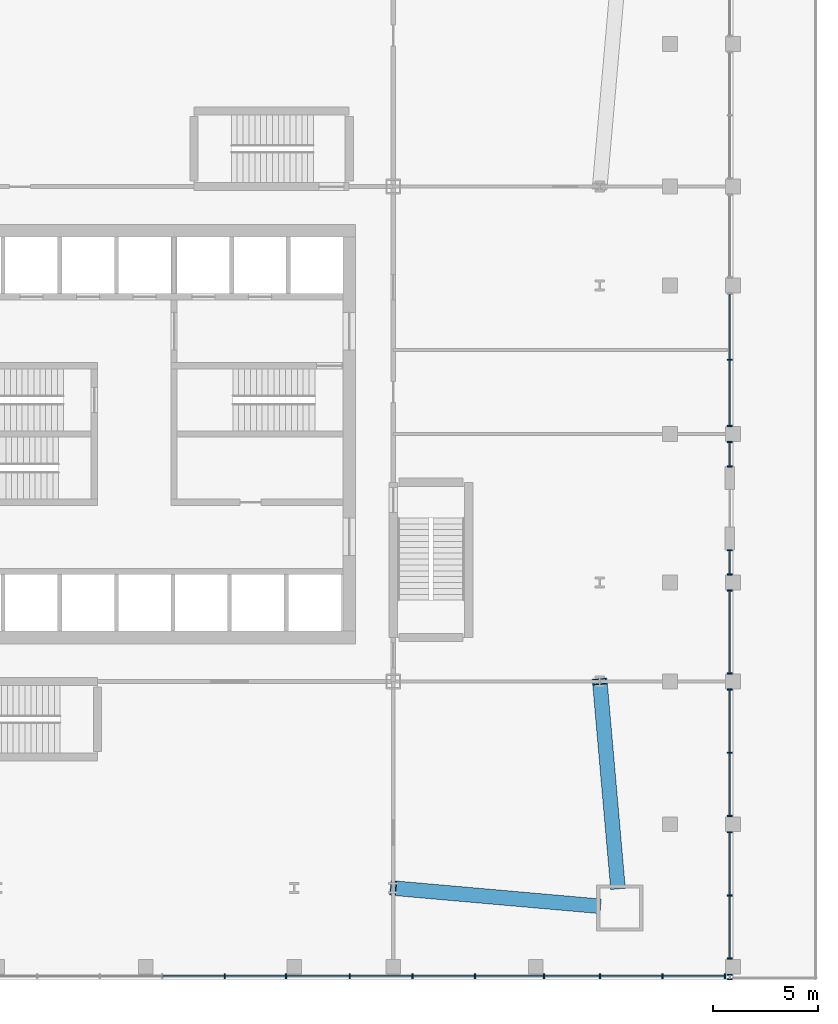
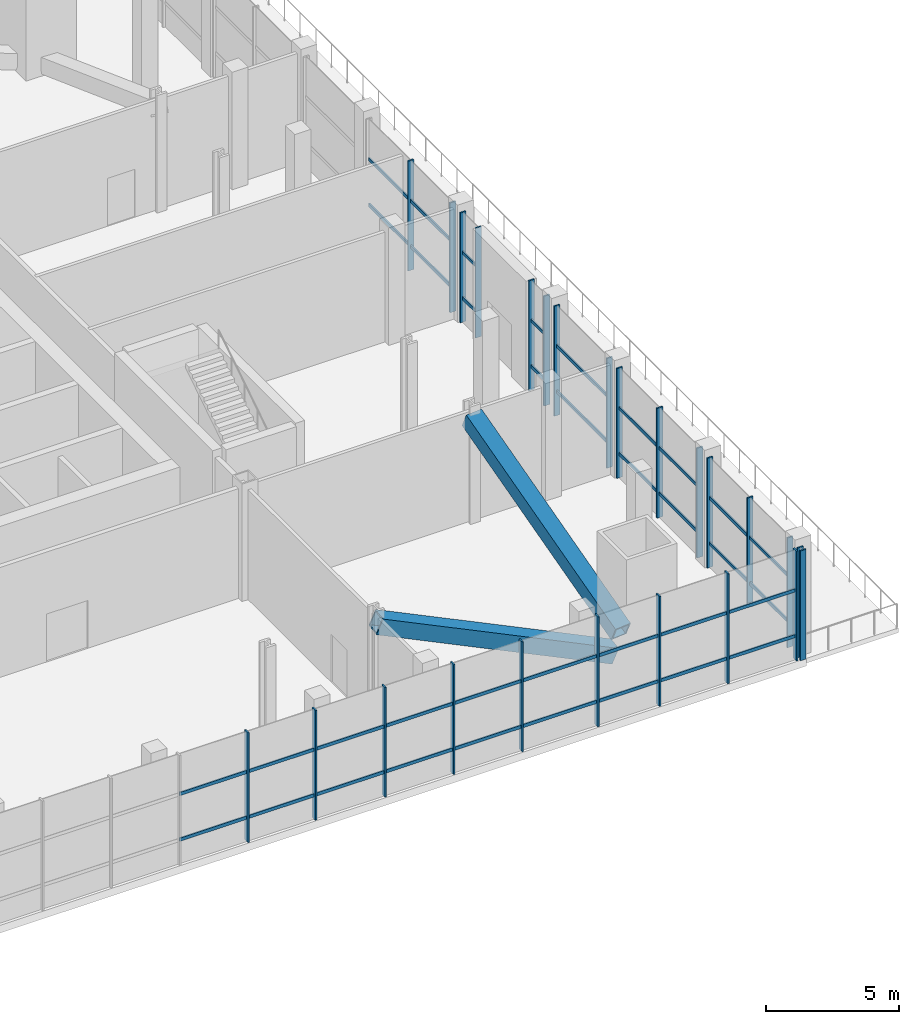
# One storey, part 3 of 17: 63 members, 8 elements without a shape of their own.
"""IFC4 building model written with IfcOpenShell, lengths in metres."""

from ifc_helpers import new_model, si_unit, direction, frame, origin, origin_2d, place, context, subcontext, project, spatial, rectangle, hollow_rectangle, extrude, material, material_profile, profile_set, type_object, element, aggregate, save


model = new_model("IFC4")

# Units and contexts
model_context = context("Model", 3, precision=1e-05, world=origin(), true_north=direction((0.0, 1.0)))
body_context = subcontext(model_context, "Body", "Model", "MODEL_VIEW")
ifc_project = project(units=[si_unit("LENGTHUNIT", "METRE"), si_unit("AREAUNIT", "SQUARE_METRE"), si_unit("VOLUMEUNIT", "CUBIC_METRE"), si_unit("PLANEANGLEUNIT", "RADIAN"), si_unit("MASSUNIT", "GRAM", prefix="KILO")], contexts=[model_context])

# Site, building, storey
site_placement = place(None, origin())
site = spatial("IfcSite", under=ifc_project, at=site_placement, CompositionType="ELEMENT")
building_placement = place(site_placement, origin())
building = spatial("IfcBuilding", under=site, at=building_placement, Name="Turquesa Mirador Hotel Tower", CompositionType="ELEMENT")
storey_placement = place(building_placement, frame((0.0, 0.0, 5.60009765625)))
storey = spatial("IfcBuildingStorey", under=building, at=storey_placement, Name="L01", CompositionType="ELEMENT", Elevation=5.60009765625)

# Curtain wall, members
ifc_material_1 = material(Name="Aluminium extrusion", Category="aluminium")
curtain_wall_type = type_object("IfcCurtainWallType", Name="CW-2 PODIUM CURTAIN WALL", PredefinedType="USERDEFINED", material=ifc_material_1)
curtain_wall_1_placement = place(storey_placement, origin())
curtain_wall_1 = element("IfcCurtainWall", 1, at=curtain_wall_1_placement, inside=storey, type_object=curtain_wall_type, Name="CW-2 PODIUM CURTAIN WALL L01", ObjectType="CURTAIN WALL", PredefinedType="USERDEFINED")
ifc_material_2 = material(Name="Aluminium extrusion", Category="aluminium")
ifc_material_profile_1 = material_profile(ifc_material_2, rectangle(XDim=0.06494140625, YDim=0.25, at=origin_2d()), Name="MULLION 65X250")
ifc_profile_set_1 = profile_set([ifc_material_profile_1], Name="Aluminium extrusion")
member_type_1 = type_object("IfcMemberType", Name="CW MULLION 65X250", PredefinedType="MULLION", material=ifc_profile_set_1)
member_1_placement = place(storey_placement, frame((58.769287109375, 19.14990234375, 0.0), z_axis=(0.0, 0.0, 1.0), x_axis=(1.0, 0.0, 0.0)))
member_1 = element("IfcMember", 2, at=member_1_placement, type_object=member_type_1, Name="Mullion", PredefinedType="MULLION", context=body_context, shape_type="SweptSolid", body=[
    extrude(rectangle(XDim=0.06494140625, YDim=0.25, at=origin_2d()), origin(), (0.0, 0.0, 1.0), 5.0498046875),
])
member_2_placement = place(storey_placement, frame((61.695556640625, 19.14990234375, 0.0), z_axis=(0.0, 0.0, 1.0), x_axis=(1.0, 0.0, 0.0)))
member_2 = element("IfcMember", 3, at=member_2_placement, type_object=member_type_1, Name="Mullion", PredefinedType="MULLION", context=body_context, shape_type="SweptSolid", body=[
    extrude(rectangle(XDim=0.06494140625, YDim=0.25, at=origin_2d()), origin(), (0.0, 0.0, 1.0), 5.0498046875),
])
member_3_placement = place(storey_placement, frame((64.73095703125, 19.14990234375, 0.0), z_axis=(0.0, 0.0, 1.0), x_axis=(1.0, 0.0, 0.0)))
member_3 = element("IfcMember", 4, at=member_3_placement, type_object=member_type_1, Name="Mullion", PredefinedType="MULLION", context=body_context, shape_type="SweptSolid", body=[
    extrude(rectangle(XDim=0.06494140625, YDim=0.25, at=origin_2d()), origin(), (0.0, 0.0, 1.0), 5.0498046875),
])
member_4_placement = place(storey_placement, frame((67.711669921875, 19.14990234375, 0.0), z_axis=(0.0, 0.0, 1.0), x_axis=(1.0, 0.0, 0.0)))
member_4 = element("IfcMember", 5, at=member_4_placement, type_object=member_type_1, Name="Mullion", PredefinedType="MULLION", context=body_context, shape_type="SweptSolid", body=[
    extrude(rectangle(XDim=0.06494140625, YDim=0.25, at=origin_2d()), origin(), (0.0, 0.0, 1.0), 5.0498046875),
])
member_5_placement = place(storey_placement, frame((70.6923828125, 19.14990234375, 0.0), z_axis=(0.0, 0.0, 1.0), x_axis=(1.0, 0.0, 0.0)))
member_5 = element("IfcMember", 6, at=member_5_placement, type_object=member_type_1, Name="Mullion", PredefinedType="MULLION", context=body_context, shape_type="SweptSolid", body=[
    extrude(rectangle(XDim=0.06494140625, YDim=0.25, at=origin_2d()), origin(), (0.0, 0.0, 1.0), 5.0498046875),
])
member_6_placement = place(storey_placement, frame((73.984619140625, 19.14990234375, 0.0), z_axis=(0.0, 0.0, 1.0), x_axis=(1.0, 0.0, 0.0)))
member_6 = element("IfcMember", 7, at=member_6_placement, type_object=member_type_1, Name="Mullion", PredefinedType="MULLION", context=body_context, shape_type="SweptSolid", body=[
    extrude(rectangle(XDim=0.06494140625, YDim=0.25, at=origin_2d()), origin(), (0.0, 0.0, 1.0), 5.0498046875),
])
member_7_placement = place(storey_placement, frame((76.654052734375, 19.14990234375, 0.0), z_axis=(0.0, 0.0, 1.0), x_axis=(1.0, 0.0, 0.0)))
member_7 = element("IfcMember", 8, at=member_7_placement, type_object=member_type_1, Name="Mullion", PredefinedType="MULLION", context=body_context, shape_type="SweptSolid", body=[
    extrude(rectangle(XDim=0.06494140625, YDim=0.25, at=origin_2d()), origin(), (0.0, 0.0, 1.0), 5.0498046875),
])
member_8_placement = place(storey_placement, frame((79.634765625, 19.14990234375, 0.0), z_axis=(0.0, 0.0, 1.0), x_axis=(1.0, 0.0, 0.0)))
member_8 = element("IfcMember", 9, at=member_8_placement, type_object=member_type_1, Name="Mullion", PredefinedType="MULLION", context=body_context, shape_type="SweptSolid", body=[
    extrude(rectangle(XDim=0.06494140625, YDim=0.25, at=origin_2d()), origin(), (0.0, 0.0, 1.0), 5.0498046875),
])
member_9_placement = place(storey_placement, frame((82.615478515625, 19.14990234375, 0.0), z_axis=(0.0, 0.0, 1.0), x_axis=(1.0, 0.0, 0.0)))
member_9 = element("IfcMember", 10, at=member_9_placement, type_object=member_type_1, Name="Mullion", PredefinedType="MULLION", context=body_context, shape_type="SweptSolid", body=[
    extrude(rectangle(XDim=0.06494140625, YDim=0.25, at=origin_2d()), origin(), (0.0, 0.0, 1.0), 5.0498046875),
])

curtain_wall_2_placement = place(storey_placement, origin())
curtain_wall_2 = element("IfcCurtainWall", 11, at=curtain_wall_2_placement, inside=storey, type_object=curtain_wall_type, Name="CW-2 PODIUM CURTAIN WALL L01", ObjectType="CURTAIN WALL", PredefinedType="USERDEFINED")
member_10_placement = place(storey_placement, frame((82.85009765625, 19.0, 0.0), z_axis=(0.0, 0.0, 1.0), x_axis=(0.0, 1.0, 0.0)))
member_10 = element("IfcMember", 12, at=member_10_placement, type_object=member_type_1, Name="Mullion", PredefinedType="MULLION", context=body_context, shape_type="SweptSolid", body=[
    extrude(rectangle(XDim=0.06494140625, YDim=0.25, at=origin_2d()), origin(), (0.0, 0.0, 1.0), 5.0498046875),
])
member_11_placement = place(storey_placement, frame((82.85009765625, 19.215576171875, 0.0), z_axis=(0.0, 0.0, 1.0), x_axis=(0.0, 1.0, 0.0)))
member_11 = element("IfcMember", 13, at=member_11_placement, type_object=member_type_1, Name="Mullion", PredefinedType="MULLION", context=body_context, shape_type="SweptSolid", body=[
    extrude(rectangle(XDim=0.06494140625, YDim=0.25, at=origin_2d()), origin(), (0.0, 0.0, 1.0), 5.0498046875),
])
aggregate(curtain_wall_2, [member_10, member_11])

curtain_wall_3_placement = place(storey_placement, origin())
curtain_wall_3 = element("IfcCurtainWall", 14, at=curtain_wall_3_placement, inside=storey, type_object=curtain_wall_type, Name="CW-2 PODIUM CURTAIN WALL L01", ObjectType="CURTAIN WALL", PredefinedType="USERDEFINED")
member_12_placement = place(storey_placement, frame((82.85009765625, 19.984619140625, 0.0), z_axis=(0.0, 0.0, 1.0), x_axis=(0.0, 1.0, 0.0)))
member_12 = element("IfcMember", 15, at=member_12_placement, type_object=member_type_1, Name="Mullion", PredefinedType="MULLION", context=body_context, shape_type="SweptSolid", body=[
    extrude(rectangle(XDim=0.06494140625, YDim=0.25, at=origin_2d()), origin(), (0.0, 0.0, 1.0), 5.0498046875),
])
member_13_placement = place(storey_placement, frame((82.85009765625, 23.0, 0.0), z_axis=(0.0, 0.0, 1.0), x_axis=(0.0, 1.0, 0.0)))
member_13 = element("IfcMember", 16, at=member_13_placement, type_object=member_type_1, Name="Mullion", PredefinedType="MULLION", context=body_context, shape_type="SweptSolid", body=[
    extrude(rectangle(XDim=0.06494140625, YDim=0.25, at=origin_2d()), origin(), (0.0, 0.0, 1.0), 5.0498046875),
])
member_14_placement = place(storey_placement, frame((82.85009765625, 26.015380859375, 0.0), z_axis=(0.0, 0.0, 1.0), x_axis=(0.0, 1.0, 0.0)))
member_14 = element("IfcMember", 17, at=member_14_placement, type_object=member_type_1, Name="Mullion", PredefinedType="MULLION", context=body_context, shape_type="SweptSolid", body=[
    extrude(rectangle(XDim=0.06494140625, YDim=0.25, at=origin_2d()), origin(), (0.0, 0.0, 1.0), 5.0498046875),
])

curtain_wall_4_placement = place(storey_placement, origin())
curtain_wall_4 = element("IfcCurtainWall", 18, at=curtain_wall_4_placement, inside=storey, type_object=curtain_wall_type, Name="CW-2 PODIUM CURTAIN WALL L01", ObjectType="CURTAIN WALL", PredefinedType="USERDEFINED")
member_15_placement = place(storey_placement, frame((82.85009765625, 26.784423828125, 0.0), z_axis=(0.0, 0.0, 1.0), x_axis=(0.0, 1.0, 0.0)))
member_15 = element("IfcMember", 19, at=member_15_placement, type_object=member_type_1, Name="Mullion", PredefinedType="MULLION", context=body_context, shape_type="SweptSolid", body=[
    extrude(rectangle(XDim=0.06494140625, YDim=0.25, at=origin_2d()), origin(), (0.0, 0.0, 1.0), 5.0498046875),
])
member_16_placement = place(storey_placement, frame((82.85009765625, 29.800048828125, 0.0), z_axis=(0.0, 0.0, 1.0), x_axis=(0.0, 1.0, 0.0)))
member_16 = element("IfcMember", 20, at=member_16_placement, type_object=member_type_1, Name="Mullion", PredefinedType="MULLION", context=body_context, shape_type="SweptSolid", body=[
    extrude(rectangle(XDim=0.06494140625, YDim=0.25, at=origin_2d()), origin(), (0.0, 0.0, 1.0), 5.0498046875),
])
member_17_placement = place(storey_placement, frame((82.85009765625, 32.8154296875, 0.0), z_axis=(0.0, 0.0, 1.0), x_axis=(0.0, 1.0, 0.0)))
member_17 = element("IfcMember", 21, at=member_17_placement, type_object=member_type_1, Name="Mullion", PredefinedType="MULLION", context=body_context, shape_type="SweptSolid", body=[
    extrude(rectangle(XDim=0.06494140625, YDim=0.25, at=origin_2d()), origin(), (0.0, 0.0, 1.0), 5.0498046875),
])

curtain_wall_5_placement = place(storey_placement, origin())
curtain_wall_5 = element("IfcCurtainWall", 22, at=curtain_wall_5_placement, inside=storey, type_object=curtain_wall_type, Name="CW-2 PODIUM CURTAIN WALL L01", ObjectType="CURTAIN WALL", PredefinedType="USERDEFINED")
member_18_placement = place(storey_placement, frame((82.85009765625, 33.58447265625, 0.0), z_axis=(0.0, 0.0, 1.0), x_axis=(0.0, 1.0, 0.0)))
member_18 = element("IfcMember", 23, at=member_18_placement, type_object=member_type_1, Name="Mullion", PredefinedType="MULLION", context=body_context, shape_type="SweptSolid", body=[
    extrude(rectangle(XDim=0.06494140625, YDim=0.25, at=origin_2d()), origin(), (0.0, 0.0, 1.0), 5.0498046875),
])
member_19_placement = place(storey_placement, frame((82.85009765625, 37.535400390625, 0.0), z_axis=(0.0, 0.0, 1.0), x_axis=(0.0, 1.0, 0.0)))
member_19 = element("IfcMember", 24, at=member_19_placement, type_object=member_type_1, Name="Mullion", PredefinedType="MULLION", context=body_context, shape_type="SweptSolid", body=[
    extrude(rectangle(XDim=0.06494140625, YDim=0.25, at=origin_2d()), origin(), (0.0, 0.0, 1.0), 5.0498046875),
])

curtain_wall_6_placement = place(storey_placement, origin())
curtain_wall_6 = element("IfcCurtainWall", 25, at=curtain_wall_6_placement, inside=storey, type_object=curtain_wall_type, Name="CW-2 PODIUM CURTAIN WALL L01", ObjectType="CURTAIN WALL", PredefinedType="USERDEFINED")
member_20_placement = place(storey_placement, frame((82.85009765625, 38.304443359375, 0.0), z_axis=(0.0, 0.0, 1.0), x_axis=(0.0, 1.0, 0.0)))
member_20 = element("IfcMember", 26, at=member_20_placement, type_object=member_type_1, Name="Mullion", PredefinedType="MULLION", context=body_context, shape_type="SweptSolid", body=[
    extrude(rectangle(XDim=0.06494140625, YDim=0.25, at=origin_2d()), origin(), (0.0, 0.0, 1.0), 5.0498046875),
])
member_21_placement = place(storey_placement, frame((82.85009765625, 39.4599609375, 0.0), z_axis=(0.0, 0.0, 1.0), x_axis=(0.0, 1.0, 0.0)))
member_21 = element("IfcMember", 27, at=member_21_placement, type_object=member_type_1, Name="Mullion", PredefinedType="MULLION", context=body_context, shape_type="SweptSolid", body=[
    extrude(rectangle(XDim=0.06494140625, YDim=0.25, at=origin_2d()), origin(), (0.0, 0.0, 1.0), 5.0498046875),
])

curtain_wall_7_placement = place(storey_placement, origin())
curtain_wall_7 = element("IfcCurtainWall", 28, at=curtain_wall_7_placement, inside=storey, type_object=curtain_wall_type, Name="CW-2 PODIUM CURTAIN WALL L01", ObjectType="CURTAIN WALL", PredefinedType="USERDEFINED")
member_22_placement = place(storey_placement, frame((82.85009765625, 43.4599609375, 0.0), z_axis=(0.0, 0.0, 1.0), x_axis=(0.0, 1.0, 0.0)))
member_22 = element("IfcMember", 29, at=member_22_placement, type_object=member_type_1, Name="Mullion", PredefinedType="MULLION", context=body_context, shape_type="SweptSolid", body=[
    extrude(rectangle(XDim=0.06494140625, YDim=0.25, at=origin_2d()), origin(), (0.0, 0.0, 1.0), 5.0498046875),
])
member_23_placement = place(storey_placement, frame((82.85009765625, 44.615478515625, 0.0), z_axis=(0.0, 0.0, 1.0), x_axis=(0.0, 1.0, 0.0)))
member_23 = element("IfcMember", 30, at=member_23_placement, type_object=member_type_1, Name="Mullion", PredefinedType="MULLION", context=body_context, shape_type="SweptSolid", body=[
    extrude(rectangle(XDim=0.06494140625, YDim=0.25, at=origin_2d()), origin(), (0.0, 0.0, 1.0), 5.0498046875),
])

curtain_wall_8_placement = place(storey_placement, origin())
curtain_wall_8 = element("IfcCurtainWall", 31, at=curtain_wall_8_placement, inside=storey, type_object=curtain_wall_type, Name="CW-2 PODIUM CURTAIN WALL L01", ObjectType="CURTAIN WALL", PredefinedType="USERDEFINED")
member_24_placement = place(storey_placement, frame((82.85009765625, 45.384521484375, 0.0), z_axis=(0.0, 0.0, 1.0), x_axis=(0.0, 1.0, 0.0)))
member_24 = element("IfcMember", 32, at=member_24_placement, type_object=member_type_1, Name="Mullion", PredefinedType="MULLION", context=body_context, shape_type="SweptSolid", body=[
    extrude(rectangle(XDim=0.06494140625, YDim=0.25, at=origin_2d()), origin(), (0.0, 0.0, 1.0), 5.0498046875),
])
member_25_placement = place(storey_placement, frame((82.85009765625, 48.5400390625, 0.0), z_axis=(0.0, 0.0, 1.0), x_axis=(0.0, 1.0, 0.0)))
member_25 = element("IfcMember", 33, at=member_25_placement, type_object=member_type_1, Name="Mullion", PredefinedType="MULLION", context=body_context, shape_type="SweptSolid", body=[
    extrude(rectangle(XDim=0.06494140625, YDim=0.25, at=origin_2d()), origin(), (0.0, 0.0, 1.0), 5.0498046875),
])

# Member
ifc_material_3 = material(Name="Aluminium extrusion", Category="aluminium")
ifc_material_profile_2 = material_profile(ifc_material_3, rectangle(XDim=0.06494140625, YDim=0.14990234375, at=origin_2d()), Name="TRANSOM 65X150")
ifc_profile_set_2 = profile_set([ifc_material_profile_2], Name="Aluminium extrusion")
member_type_2 = type_object("IfcMemberType", Name="CW TRANSOM 65X150", PredefinedType="USERDEFINED", material=ifc_profile_set_2)
member_26_placement = place(storey_placement, frame((55.821044921875, 19.14990234375, 1.099853515625), z_axis=(1.0, 0.0, 0.0), x_axis=(0.0, 1.0, 0.0)))
member_26 = element("IfcMember", 34, at=member_26_placement, type_object=member_type_2, Name="Transom", ObjectType="TRANSOM", PredefinedType="USERDEFINED", context=body_context, shape_type="SweptSolid", body=[
    extrude(rectangle(XDim=0.06494140625, YDim=0.14990234375, at=origin_2d()), origin(), (0.0, 0.0, 1.0), 2.915771484375),
])

member_27_placement = place(storey_placement, frame((55.821044921875, 19.14990234375, 3.199951171875), z_axis=(1.0, 0.0, 0.0), x_axis=(0.0, 1.0, 0.0)))
member_27 = element("IfcMember", 35, at=member_27_placement, type_object=member_type_2, Name="Transom", ObjectType="TRANSOM", PredefinedType="USERDEFINED", context=body_context, shape_type="SweptSolid", body=[
    extrude(rectangle(XDim=0.06494140625, YDim=0.14990234375, at=origin_2d()), origin(), (0.0, 0.0, 1.0), 2.915771484375),
])

member_28_placement = place(storey_placement, frame((58.8017578125, 19.14990234375, 1.099853515625), z_axis=(1.0, 0.0, 0.0), x_axis=(0.0, 1.0, 0.0)))
member_28 = element("IfcMember", 36, at=member_28_placement, type_object=member_type_2, Name="Transom", ObjectType="TRANSOM", PredefinedType="USERDEFINED", context=body_context, shape_type="SweptSolid", body=[
    extrude(rectangle(XDim=0.06494140625, YDim=0.14990234375, at=origin_2d()), origin(), (0.0, 0.0, 1.0), 2.861328125),
])

member_29_placement = place(storey_placement, frame((58.8017578125, 19.14990234375, 3.199951171875), z_axis=(1.0, 0.0, 0.0), x_axis=(0.0, 1.0, 0.0)))
member_29 = element("IfcMember", 37, at=member_29_placement, type_object=member_type_2, Name="Transom", ObjectType="TRANSOM", PredefinedType="USERDEFINED", context=body_context, shape_type="SweptSolid", body=[
    extrude(rectangle(XDim=0.06494140625, YDim=0.14990234375, at=origin_2d()), origin(), (0.0, 0.0, 1.0), 2.861328125),
])

member_30_placement = place(storey_placement, frame((61.72802734375, 19.14990234375, 1.099853515625), z_axis=(1.0, 0.0, 0.0), x_axis=(0.0, 1.0, 0.0)))
member_30 = element("IfcMember", 38, at=member_30_placement, type_object=member_type_2, Name="Transom", ObjectType="TRANSOM", PredefinedType="USERDEFINED", context=body_context, shape_type="SweptSolid", body=[
    extrude(rectangle(XDim=0.06494140625, YDim=0.14990234375, at=origin_2d()), origin(), (0.0, 0.0, 1.0), 2.97021484375),
])

member_31_placement = place(storey_placement, frame((61.72802734375, 19.14990234375, 3.199951171875), z_axis=(1.0, 0.0, 0.0), x_axis=(0.0, 1.0, 0.0)))
member_31 = element("IfcMember", 39, at=member_31_placement, type_object=member_type_2, Name="Transom", ObjectType="TRANSOM", PredefinedType="USERDEFINED", context=body_context, shape_type="SweptSolid", body=[
    extrude(rectangle(XDim=0.06494140625, YDim=0.14990234375, at=origin_2d()), origin(), (0.0, 0.0, 1.0), 2.97021484375),
])

member_32_placement = place(storey_placement, frame((64.763427734375, 19.14990234375, 1.099853515625), z_axis=(1.0, 0.0, 0.0), x_axis=(0.0, 1.0, 0.0)))
member_32 = element("IfcMember", 40, at=member_32_placement, type_object=member_type_2, Name="Transom", ObjectType="TRANSOM", PredefinedType="USERDEFINED", context=body_context, shape_type="SweptSolid", body=[
    extrude(rectangle(XDim=0.06494140625, YDim=0.14990234375, at=origin_2d()), origin(), (0.0, 0.0, 1.0), 2.915771484375),
])

member_33_placement = place(storey_placement, frame((64.763427734375, 19.14990234375, 3.199951171875), z_axis=(1.0, 0.0, 0.0), x_axis=(0.0, 1.0, 0.0)))
member_33 = element("IfcMember", 41, at=member_33_placement, type_object=member_type_2, Name="Transom", ObjectType="TRANSOM", PredefinedType="USERDEFINED", context=body_context, shape_type="SweptSolid", body=[
    extrude(rectangle(XDim=0.06494140625, YDim=0.14990234375, at=origin_2d()), origin(), (0.0, 0.0, 1.0), 2.915771484375),
])

member_34_placement = place(storey_placement, frame((67.744140625, 19.14990234375, 1.099853515625), z_axis=(1.0, 0.0, 0.0), x_axis=(0.0, 1.0, 0.0)))
member_34 = element("IfcMember", 42, at=member_34_placement, type_object=member_type_2, Name="Transom", ObjectType="TRANSOM", PredefinedType="USERDEFINED", context=body_context, shape_type="SweptSolid", body=[
    extrude(rectangle(XDim=0.06494140625, YDim=0.14990234375, at=origin_2d()), origin(), (0.0, 0.0, 1.0), 2.915771484375),
])

member_35_placement = place(storey_placement, frame((67.744140625, 19.14990234375, 3.199951171875), z_axis=(1.0, 0.0, 0.0), x_axis=(0.0, 1.0, 0.0)))
member_35 = element("IfcMember", 43, at=member_35_placement, type_object=member_type_2, Name="Transom", ObjectType="TRANSOM", PredefinedType="USERDEFINED", context=body_context, shape_type="SweptSolid", body=[
    extrude(rectangle(XDim=0.06494140625, YDim=0.14990234375, at=origin_2d()), origin(), (0.0, 0.0, 1.0), 2.915771484375),
])

member_36_placement = place(storey_placement, frame((70.724853515625, 19.14990234375, 1.099853515625), z_axis=(1.0, 0.0, 0.0), x_axis=(0.0, 1.0, 0.0)))
member_36 = element("IfcMember", 44, at=member_36_placement, type_object=member_type_2, Name="Transom", ObjectType="TRANSOM", PredefinedType="USERDEFINED", context=body_context, shape_type="SweptSolid", body=[
    extrude(rectangle(XDim=0.06494140625, YDim=0.14990234375, at=origin_2d()), origin(), (0.0, 0.0, 1.0), 3.22705078125),
])

member_37_placement = place(storey_placement, frame((70.724853515625, 19.14990234375, 3.199951171875), z_axis=(1.0, 0.0, 0.0), x_axis=(0.0, 1.0, 0.0)))
member_37 = element("IfcMember", 45, at=member_37_placement, type_object=member_type_2, Name="Transom", ObjectType="TRANSOM", PredefinedType="USERDEFINED", context=body_context, shape_type="SweptSolid", body=[
    extrude(rectangle(XDim=0.06494140625, YDim=0.14990234375, at=origin_2d()), origin(), (0.0, 0.0, 1.0), 3.22705078125),
])

member_38_placement = place(storey_placement, frame((74.01708984375, 19.14990234375, 1.099853515625), z_axis=(1.0, 0.0, 0.0), x_axis=(0.0, 1.0, 0.0)))
member_38 = element("IfcMember", 46, at=member_38_placement, type_object=member_type_2, Name="Transom", ObjectType="TRANSOM", PredefinedType="USERDEFINED", context=body_context, shape_type="SweptSolid", body=[
    extrude(rectangle(XDim=0.06494140625, YDim=0.14990234375, at=origin_2d()), origin(), (0.0, 0.0, 1.0), 2.604248046875),
])

member_39_placement = place(storey_placement, frame((74.01708984375, 19.14990234375, 3.199951171875), z_axis=(1.0, 0.0, 0.0), x_axis=(0.0, 1.0, 0.0)))
member_39 = element("IfcMember", 47, at=member_39_placement, type_object=member_type_2, Name="Transom", ObjectType="TRANSOM", PredefinedType="USERDEFINED", context=body_context, shape_type="SweptSolid", body=[
    extrude(rectangle(XDim=0.06494140625, YDim=0.14990234375, at=origin_2d()), origin(), (0.0, 0.0, 1.0), 2.604248046875),
])

member_40_placement = place(storey_placement, frame((76.6865234375, 19.14990234375, 1.099853515625), z_axis=(1.0, 0.0, 0.0), x_axis=(0.0, 1.0, 0.0)))
member_40 = element("IfcMember", 48, at=member_40_placement, type_object=member_type_2, Name="Transom", ObjectType="TRANSOM", PredefinedType="USERDEFINED", context=body_context, shape_type="SweptSolid", body=[
    extrude(rectangle(XDim=0.06494140625, YDim=0.14990234375, at=origin_2d()), origin(), (0.0, 0.0, 1.0), 2.915771484375),
])

member_41_placement = place(storey_placement, frame((76.6865234375, 19.14990234375, 3.199951171875), z_axis=(1.0, 0.0, 0.0), x_axis=(0.0, 1.0, 0.0)))
member_41 = element("IfcMember", 49, at=member_41_placement, type_object=member_type_2, Name="Transom", ObjectType="TRANSOM", PredefinedType="USERDEFINED", context=body_context, shape_type="SweptSolid", body=[
    extrude(rectangle(XDim=0.06494140625, YDim=0.14990234375, at=origin_2d()), origin(), (0.0, 0.0, 1.0), 2.915771484375),
])

member_42_placement = place(storey_placement, frame((79.667236328125, 19.14990234375, 1.099853515625), z_axis=(1.0, 0.0, 0.0), x_axis=(0.0, 1.0, 0.0)))
member_42 = element("IfcMember", 50, at=member_42_placement, type_object=member_type_2, Name="Transom", ObjectType="TRANSOM", PredefinedType="USERDEFINED", context=body_context, shape_type="SweptSolid", body=[
    extrude(rectangle(XDim=0.06494140625, YDim=0.14990234375, at=origin_2d()), origin(), (0.0, 0.0, 1.0), 2.915771484375),
])

member_43_placement = place(storey_placement, frame((79.667236328125, 19.14990234375, 3.199951171875), z_axis=(1.0, 0.0, 0.0), x_axis=(0.0, 1.0, 0.0)))
member_43 = element("IfcMember", 51, at=member_43_placement, type_object=member_type_2, Name="Transom", ObjectType="TRANSOM", PredefinedType="USERDEFINED", context=body_context, shape_type="SweptSolid", body=[
    extrude(rectangle(XDim=0.06494140625, YDim=0.14990234375, at=origin_2d()), origin(), (0.0, 0.0, 1.0), 2.915771484375),
])

aggregate(curtain_wall_1, [member_1, member_2, member_3, member_4, member_5, member_6, member_7, member_8, member_9, member_26, member_27, member_28, member_29, member_30, member_31, member_32, member_33, member_34, member_35, member_36, member_37, member_38, member_39, member_40, member_41, member_42, member_43])

member_44_placement = place(storey_placement, frame((82.85009765625, 20.01708984375, 1.099853515625), z_axis=(0.0, 1.0, 0.0), x_axis=(-1.0, 0.0, 0.0)))
member_44 = element("IfcMember", 52, at=member_44_placement, type_object=member_type_2, Name="Transom", ObjectType="TRANSOM", PredefinedType="USERDEFINED", context=body_context, shape_type="SweptSolid", body=[
    extrude(rectangle(XDim=0.06494140625, YDim=0.14990234375, at=origin_2d()), origin(), (0.0, 0.0, 1.0), 2.950439453125),
])

member_45_placement = place(storey_placement, frame((82.85009765625, 20.01708984375, 3.199951171875), z_axis=(0.0, 1.0, 0.0), x_axis=(-1.0, 0.0, 0.0)))
member_45 = element("IfcMember", 53, at=member_45_placement, type_object=member_type_2, Name="Transom", ObjectType="TRANSOM", PredefinedType="USERDEFINED", context=body_context, shape_type="SweptSolid", body=[
    extrude(rectangle(XDim=0.06494140625, YDim=0.14990234375, at=origin_2d()), origin(), (0.0, 0.0, 1.0), 2.950439453125),
])

member_46_placement = place(storey_placement, frame((82.85009765625, 23.032470703125, 1.099853515625), z_axis=(0.0, 1.0, 0.0), x_axis=(-1.0, 0.0, 0.0)))
member_46 = element("IfcMember", 54, at=member_46_placement, type_object=member_type_2, Name="Transom", ObjectType="TRANSOM", PredefinedType="USERDEFINED", context=body_context, shape_type="SweptSolid", body=[
    extrude(rectangle(XDim=0.06494140625, YDim=0.14990234375, at=origin_2d()), origin(), (0.0, 0.0, 1.0), 2.950439453125),
])

member_47_placement = place(storey_placement, frame((82.85009765625, 23.032470703125, 3.199951171875), z_axis=(0.0, 1.0, 0.0), x_axis=(-1.0, 0.0, 0.0)))
member_47 = element("IfcMember", 55, at=member_47_placement, type_object=member_type_2, Name="Transom", ObjectType="TRANSOM", PredefinedType="USERDEFINED", context=body_context, shape_type="SweptSolid", body=[
    extrude(rectangle(XDim=0.06494140625, YDim=0.14990234375, at=origin_2d()), origin(), (0.0, 0.0, 1.0), 2.950439453125),
])

aggregate(curtain_wall_3, [member_12, member_13, member_14, member_44, member_45, member_46, member_47])

member_48_placement = place(storey_placement, frame((82.85009765625, 26.81689453125, 1.099853515625), z_axis=(0.0, 1.0, 0.0), x_axis=(-1.0, 0.0, 0.0)))
member_48 = element("IfcMember", 56, at=member_48_placement, type_object=member_type_2, Name="Transom", ObjectType="TRANSOM", PredefinedType="USERDEFINED", context=body_context, shape_type="SweptSolid", body=[
    extrude(rectangle(XDim=0.06494140625, YDim=0.14990234375, at=origin_2d()), origin(), (0.0, 0.0, 1.0), 2.95068359375),
])

member_49_placement = place(storey_placement, frame((82.85009765625, 26.81689453125, 3.199951171875), z_axis=(0.0, 1.0, 0.0), x_axis=(-1.0, 0.0, 0.0)))
member_49 = element("IfcMember", 57, at=member_49_placement, type_object=member_type_2, Name="Transom", ObjectType="TRANSOM", PredefinedType="USERDEFINED", context=body_context, shape_type="SweptSolid", body=[
    extrude(rectangle(XDim=0.06494140625, YDim=0.14990234375, at=origin_2d()), origin(), (0.0, 0.0, 1.0), 2.95068359375),
])

member_50_placement = place(storey_placement, frame((82.85009765625, 29.83251953125, 1.099853515625), z_axis=(0.0, 1.0, 0.0), x_axis=(-1.0, 0.0, 0.0)))
member_50 = element("IfcMember", 58, at=member_50_placement, type_object=member_type_2, Name="Transom", ObjectType="TRANSOM", PredefinedType="USERDEFINED", context=body_context, shape_type="SweptSolid", body=[
    extrude(rectangle(XDim=0.06494140625, YDim=0.14990234375, at=origin_2d()), origin(), (0.0, 0.0, 1.0), 2.950439453125),
])

member_51_placement = place(storey_placement, frame((82.85009765625, 29.83251953125, 3.199951171875), z_axis=(0.0, 1.0, 0.0), x_axis=(-1.0, 0.0, 0.0)))
member_51 = element("IfcMember", 59, at=member_51_placement, type_object=member_type_2, Name="Transom", ObjectType="TRANSOM", PredefinedType="USERDEFINED", context=body_context, shape_type="SweptSolid", body=[
    extrude(rectangle(XDim=0.06494140625, YDim=0.14990234375, at=origin_2d()), origin(), (0.0, 0.0, 1.0), 2.950439453125),
])

aggregate(curtain_wall_4, [member_15, member_16, member_17, member_48, member_49, member_50, member_51])

member_52_placement = place(storey_placement, frame((82.85009765625, 33.616943359375, 1.099853515625), z_axis=(0.0, 1.0, 0.0), x_axis=(-1.0, 0.0, 0.0)))
member_52 = element("IfcMember", 60, at=member_52_placement, type_object=member_type_2, Name="Transom", ObjectType="TRANSOM", PredefinedType="USERDEFINED", context=body_context, shape_type="SweptSolid", body=[
    extrude(rectangle(XDim=0.06494140625, YDim=0.14990234375, at=origin_2d()), origin(), (0.0, 0.0, 1.0), 3.885986328125),
])

member_53_placement = place(storey_placement, frame((82.85009765625, 33.616943359375, 3.199951171875), z_axis=(0.0, 1.0, 0.0), x_axis=(-1.0, 0.0, 0.0)))
member_53 = element("IfcMember", 61, at=member_53_placement, type_object=member_type_2, Name="Transom", ObjectType="TRANSOM", PredefinedType="USERDEFINED", context=body_context, shape_type="SweptSolid", body=[
    extrude(rectangle(XDim=0.06494140625, YDim=0.14990234375, at=origin_2d()), origin(), (0.0, 0.0, 1.0), 3.885986328125),
])

aggregate(curtain_wall_5, [member_18, member_19, member_52, member_53])

member_54_placement = place(storey_placement, frame((82.85009765625, 38.3369140625, 1.099853515625), z_axis=(0.0, 1.0, 0.0), x_axis=(-1.0, 0.0, 0.0)))
member_54 = element("IfcMember", 62, at=member_54_placement, type_object=member_type_2, Name="Transom", ObjectType="TRANSOM", PredefinedType="USERDEFINED", context=body_context, shape_type="SweptSolid", body=[
    extrude(rectangle(XDim=0.06494140625, YDim=0.14990234375, at=origin_2d()), origin(), (0.0, 0.0, 1.0), 1.090576171875),
])

member_55_placement = place(storey_placement, frame((82.85009765625, 38.3369140625, 3.199951171875), z_axis=(0.0, 1.0, 0.0), x_axis=(-1.0, 0.0, 0.0)))
member_55 = element("IfcMember", 63, at=member_55_placement, type_object=member_type_2, Name="Transom", ObjectType="TRANSOM", PredefinedType="USERDEFINED", context=body_context, shape_type="SweptSolid", body=[
    extrude(rectangle(XDim=0.06494140625, YDim=0.14990234375, at=origin_2d()), origin(), (0.0, 0.0, 1.0), 1.090576171875),
])

aggregate(curtain_wall_6, [member_20, member_21, member_54, member_55])

member_56_placement = place(storey_placement, frame((82.85009765625, 43.492431640625, 1.099853515625), z_axis=(0.0, 1.0, 0.0), x_axis=(-1.0, 0.0, 0.0)))
member_56 = element("IfcMember", 64, at=member_56_placement, type_object=member_type_2, Name="Transom", ObjectType="TRANSOM", PredefinedType="USERDEFINED", context=body_context, shape_type="SweptSolid", body=[
    extrude(rectangle(XDim=0.06494140625, YDim=0.14990234375, at=origin_2d()), origin(), (0.0, 0.0, 1.0), 1.090576171875),
])

member_57_placement = place(storey_placement, frame((82.85009765625, 43.492431640625, 3.199951171875), z_axis=(0.0, 1.0, 0.0), x_axis=(-1.0, 0.0, 0.0)))
member_57 = element("IfcMember", 65, at=member_57_placement, type_object=member_type_2, Name="Transom", ObjectType="TRANSOM", PredefinedType="USERDEFINED", context=body_context, shape_type="SweptSolid", body=[
    extrude(rectangle(XDim=0.06494140625, YDim=0.14990234375, at=origin_2d()), origin(), (0.0, 0.0, 1.0), 1.090576171875),
])

aggregate(curtain_wall_7, [member_22, member_23, member_56, member_57])

member_58_placement = place(storey_placement, frame((82.85009765625, 45.4169921875, 1.099853515625), z_axis=(0.0, 1.0, 0.0), x_axis=(-1.0, 0.0, 0.0)))
member_58 = element("IfcMember", 66, at=member_58_placement, type_object=member_type_2, Name="Transom", ObjectType="TRANSOM", PredefinedType="USERDEFINED", context=body_context, shape_type="SweptSolid", body=[
    extrude(rectangle(XDim=0.06494140625, YDim=0.14990234375, at=origin_2d()), origin(), (0.0, 0.0, 1.0), 3.090576171875),
])

member_59_placement = place(storey_placement, frame((82.85009765625, 45.4169921875, 3.199951171875), z_axis=(0.0, 1.0, 0.0), x_axis=(-1.0, 0.0, 0.0)))
member_59 = element("IfcMember", 67, at=member_59_placement, type_object=member_type_2, Name="Transom", ObjectType="TRANSOM", PredefinedType="USERDEFINED", context=body_context, shape_type="SweptSolid", body=[
    extrude(rectangle(XDim=0.06494140625, YDim=0.14990234375, at=origin_2d()), origin(), (0.0, 0.0, 1.0), 3.090576171875),
])

member_60_placement = place(storey_placement, frame((82.85009765625, 48.572509765625, 1.099853515625), z_axis=(0.0, 1.0, 0.0), x_axis=(-1.0, 0.0, 0.0)))
member_60 = element("IfcMember", 68, at=member_60_placement, type_object=member_type_2, Name="Transom", ObjectType="TRANSOM", PredefinedType="USERDEFINED", context=body_context, shape_type="SweptSolid", body=[
    extrude(rectangle(XDim=0.06494140625, YDim=0.14990234375, at=origin_2d()), origin(), (0.0, 0.0, 1.0), 3.090576171875),
])

member_61_placement = place(storey_placement, frame((82.85009765625, 48.572509765625, 3.199951171875), z_axis=(0.0, 1.0, 0.0), x_axis=(-1.0, 0.0, 0.0)))
member_61 = element("IfcMember", 69, at=member_61_placement, type_object=member_type_2, Name="Transom", ObjectType="TRANSOM", PredefinedType="USERDEFINED", context=body_context, shape_type="SweptSolid", body=[
    extrude(rectangle(XDim=0.06494140625, YDim=0.14990234375, at=origin_2d()), origin(), (0.0, 0.0, 1.0), 3.090576171875),
])

aggregate(curtain_wall_8, [member_24, member_25, member_58, member_59, member_60, member_61])

# Members
ifc_material_4 = material(Name="Steel ASTM A572 Grade 50", Category="steel")
ifc_material_profile_3 = material_profile(ifc_material_4, hollow_rectangle(XDim=0.699951171875, YDim=0.699951171875, WallThickness=0.06005859375, at=origin_2d()), Name="BOX700X700X60")
ifc_profile_set_3 = profile_set([ifc_material_profile_3], Name="Steel ASTM A572 Grade 50")
member_type_3 = type_object("IfcMemberType", Name="PODIUM BRACE BOX700X700X60", PredefinedType="BRACE", material=ifc_profile_set_3)
for number, where, z_axis, x_axis, name in (
    (70, (76.550048828125, 22.492431640625, 0.456787109375), (-0.913963080549, 0.080397443459, 0.397753363881), (-0.087627369437, -0.996153323603, 0.0), "Podium brace S"),
    (71, (77.507568359375, 23.449951171875, 0.456787109375), (-0.080397443459, 0.913963080549, 0.397753363881), (-0.996153323603, -0.087627369437, 0.0), "Podium brace E"),
):
    element("IfcMember", number, at=place(storey_placement, frame(where, z_axis=z_axis, x_axis=x_axis)), inside=storey, type_object=member_type_3, Name=name, PredefinedType="BRACE", context=body_context, shape_type="SweptSolid", body=[
        extrude(hollow_rectangle(XDim=0.699951171875, YDim=0.699951171875, WallThickness=0.06005859375, at=origin_2d()), origin(), (0.0, 0.0, 1.0), 10.667724609375),
    ])

save(model, "model.ifc")
